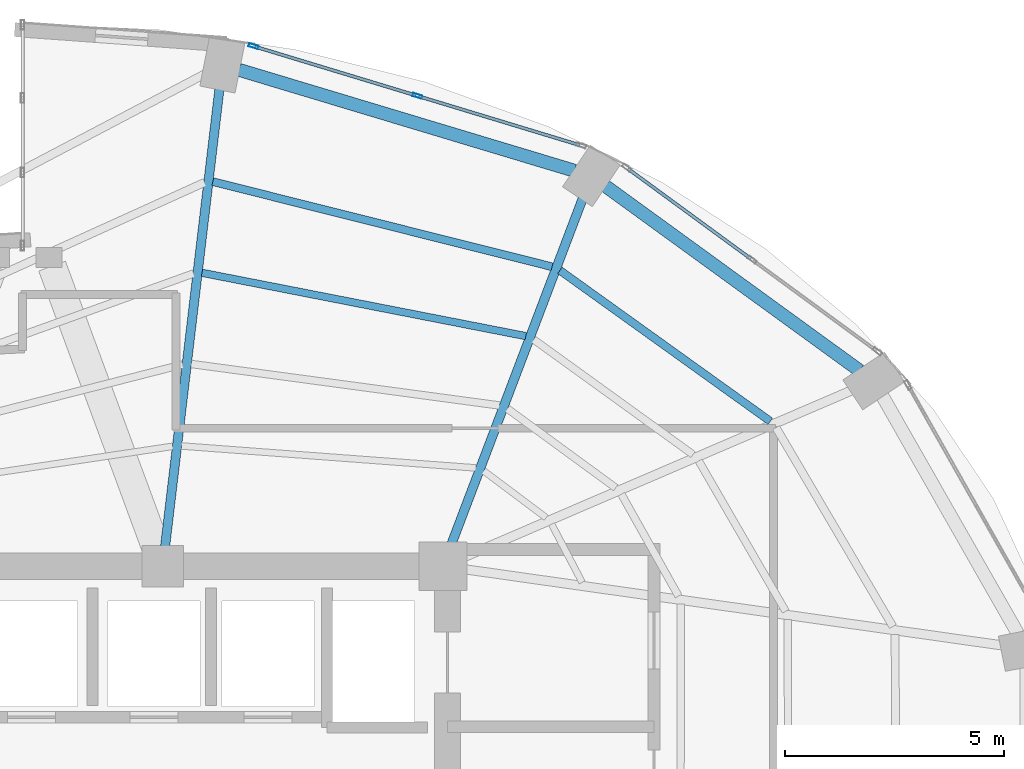
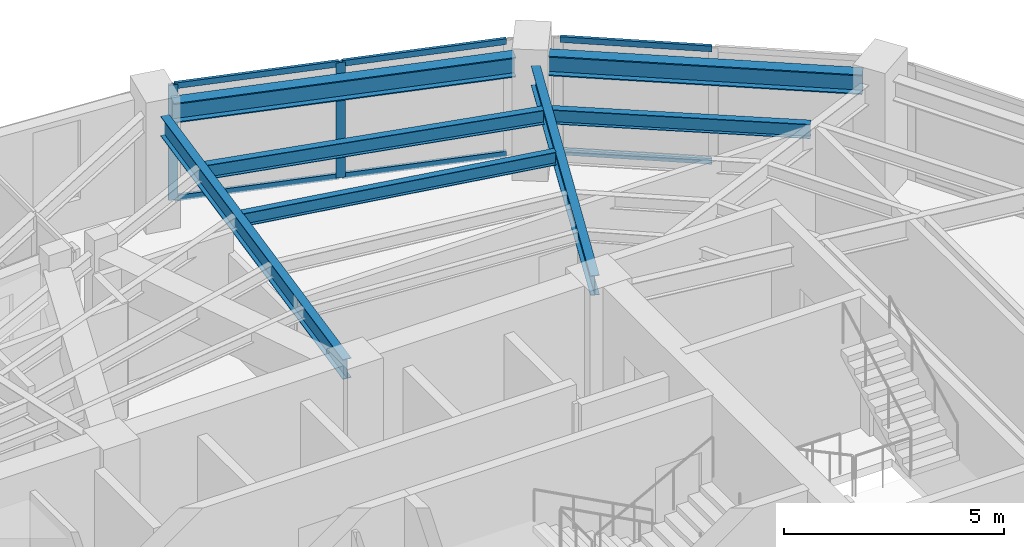
# One storey, part 13 of 20: 8 members, 7 beams, 2 elements without a shape of their own.
"""IFC4 building model written with IfcOpenShell, lengths in metres."""

from ifc_helpers import new_model, si_unit, direction, frame, origin, origin_2d, place, context, subcontext, project, spatial, hollow_rectangle, i_section, extrude, material, layer, layer_set, material_profile, profile_set, type_object, element, aggregate, save


model = new_model("IFC4")

# Units and contexts
model_context = context("Model", 3, precision=1e-05, world=origin(), true_north=direction((0.0, 1.0)))
body_context = subcontext(model_context, "Body", "Model", "MODEL_VIEW")
ifc_project = project(units=[si_unit("LENGTHUNIT", "METRE"), si_unit("AREAUNIT", "SQUARE_METRE"), si_unit("VOLUMEUNIT", "CUBIC_METRE"), si_unit("PLANEANGLEUNIT", "RADIAN"), si_unit("MASSUNIT", "GRAM", prefix="KILO")], contexts=[model_context])

# Site, building, storey
site_placement = place(None, origin())
site = spatial("IfcSite", under=ifc_project, at=site_placement, CompositionType="ELEMENT")
building_placement = place(site_placement, origin())
building = spatial("IfcBuilding", under=site, at=building_placement, Name="Lazwardi Medical Tower", CompositionType="ELEMENT")
storey_placement = place(building_placement, frame((0.0, 0.0, 185.7119140625)))
storey = spatial("IfcBuildingStorey", under=building, at=storey_placement, Name="L48", CompositionType="ELEMENT", Elevation=185.7119140625)

# Beams
ifc_material_1 = material(Name="Steel S355", Category="steel")
ifc_material_profile_1 = material_profile(ifc_material_1, i_section(OverallWidth=0.300048828125, OverallDepth=0.550048828125, WebThickness=0.014892578125, FlangeThickness=0.029052734375, at=origin_2d()), Name="HEB 550")
ifc_profile_set_1 = profile_set([ifc_material_profile_1], Name="Steel S355")
beam_type_1 = type_object("IfcBeamType", Name="BM-RB-Z3", PredefinedType="BEAM", material=ifc_profile_set_1)
beam_1_placement = place(storey_placement, frame((55.11181640625, 40.06591796875, 2.923095703125), z_axis=(-0.809127570774, 0.587633026824, 0.0), x_axis=(-0.587633026824, -0.809127570774, 0.0)))
element("IfcBeam", 1, at=beam_1_placement, inside=storey, type_object=beam_type_1, Name="Ring beam RB-04 B06 L48", PredefinedType="BEAM", context=body_context, shape_type="SweptSolid", body=[
    extrude(i_section(OverallWidth=0.300048828125, OverallDepth=0.550048828125, WebThickness=0.014892578125, FlangeThickness=0.029052734375, at=origin_2d()), origin(), (0.0, 0.0, 1.0), 7.170166015625),
])
beam_2_placement = place(storey_placement, frame((48.603515625, 44.62939453125, 2.923095703125), z_axis=(-0.957616873483, 0.288045002771, 0.0), x_axis=(-0.288045002771, -0.957616873483, 0.0)))
element("IfcBeam", 2, at=beam_2_placement, inside=storey, type_object=beam_type_1, Name="Ring beam RB-04 B07 L48", PredefinedType="BEAM", context=body_context, shape_type="SweptSolid", body=[
    extrude(i_section(OverallWidth=0.300048828125, OverallDepth=0.550048828125, WebThickness=0.014892578125, FlangeThickness=0.029052734375, at=origin_2d()), origin(), (0.0, 0.0, 1.0), 7.99951171875),
])
ifc_material_profile_2 = material_profile(ifc_material_1, i_section(OverallWidth=0.2099609375, OverallDepth=0.550048828125, WebThickness=0.010986328125, FlangeThickness=0.01708984375, at=origin_2d()), Name="IPE 550")
ifc_profile_set_2 = profile_set([ifc_material_profile_2], Name="Steel S355")
beam_type_2 = type_object("IfcBeamType", Name="BM-RG-W2", PredefinedType="BEAM", material=ifc_profile_set_2)
beam_3_placement = place(storey_placement, frame((48.78759765625, 43.99072265625, 2.923095703125), z_axis=(-0.355126771712, -0.934818151307, 0.0), x_axis=(0.934818151307, -0.355126771712, 0.0)))
element("IfcBeam", 3, at=beam_3_placement, inside=storey, type_object=beam_type_2, Name="Radial girder RG-03 R07 L48", PredefinedType="BEAM", context=body_context, shape_type="SweptSolid", body=[
    extrude(i_section(OverallWidth=0.2099609375, OverallDepth=0.550048828125, WebThickness=0.010986328125, FlangeThickness=0.01708984375, at=origin_2d()), origin(), (0.0, 0.0, 1.0), 8.44091796875),
])
beam_4_placement = place(storey_placement, frame((40.494140625, 46.49267578125, 2.923095703125), z_axis=(-0.117968004211, -0.993017396616, 0.0), x_axis=(0.993017396616, -0.117968004211, 0.0)))
element("IfcBeam", 4, at=beam_4_placement, inside=storey, type_object=beam_type_2, Name="Radial girder RG-03 R08 L48", PredefinedType="BEAM", context=body_context, shape_type="SweptSolid", body=[
    extrude(i_section(OverallWidth=0.2099609375, OverallDepth=0.550048828125, WebThickness=0.010986328125, FlangeThickness=0.01708984375, at=origin_2d()), origin(), (0.0, 0.0, 1.0), 10.50927734375),
])
ifc_material_profile_3 = material_profile(ifc_material_1, i_section(OverallWidth=0.179931640625, OverallDepth=0.39990234375, WebThickness=0.008544921875, FlangeThickness=0.013427734375, at=origin_2d()), Name="IPE 400")
ifc_profile_set_3 = profile_set([ifc_material_profile_3], Name="Steel S355")
beam_type_3 = type_object("IfcBeamType", Name="BM-SJ-01", PredefinedType="JOIST", material=ifc_profile_set_3)
beam_5_placement = place(storey_placement, frame((53.073974609375, 38.908203125, 2.998046875), z_axis=(-0.812602017757, 0.582818977675, 0.0), x_axis=(-0.582818977675, -0.812602017757, 0.0)))
element("IfcBeam", 5, at=beam_5_placement, inside=storey, type_object=beam_type_3, Name="Secondary joist SJ-01 R1 B06 L48", PredefinedType="JOIST", context=body_context, shape_type="SweptSolid", body=[
    extrude(i_section(OverallWidth=0.179931640625, OverallDepth=0.39990234375, WebThickness=0.008544921875, FlangeThickness=0.013427734375, at=origin_2d()), origin(), (0.0, 0.0, 1.0), 5.91259765625),
])
beam_6_placement = place(storey_placement, frame((48.091064453125, 42.43701171875, 2.998046875), z_axis=(-0.969933596942, 0.243369713652, 0.0), x_axis=(-0.243369713652, -0.969933596942, 0.0)))
element("IfcBeam", 6, at=beam_6_placement, inside=storey, type_object=beam_type_3, Name="Secondary joist SJ-01 R1 B07 L48", PredefinedType="JOIST", context=body_context, shape_type="SweptSolid", body=[
    extrude(i_section(OverallWidth=0.179931640625, OverallDepth=0.39990234375, WebThickness=0.008544921875, FlangeThickness=0.013427734375, at=origin_2d()), origin(), (0.0, 0.0, 1.0), 7.98828125),
])
ifc_material_profile_4 = material_profile(ifc_material_1, i_section(OverallWidth=0.169921875, OverallDepth=0.360107421875, WebThickness=0.008056640625, FlangeThickness=0.0126953125, at=origin_2d()), Name="IPE 360")
ifc_profile_set_4 = profile_set([ifc_material_profile_4], Name="Steel S355")
beam_type_4 = type_object("IfcBeamType", Name="BM-SJ-02", PredefinedType="JOIST", material=ifc_profile_set_4)
beam_7_placement = place(storey_placement, frame((47.490478515625, 40.853515625, 3.01806640625), z_axis=(-0.98141534692, 0.191895588353, 0.0), x_axis=(-0.191895588353, -0.98141534692, 0.0)))
element("IfcBeam", 7, at=beam_7_placement, inside=storey, type_object=beam_type_4, Name="Secondary joist SJ-02 R2 B07 L48", PredefinedType="JOIST", context=body_context, shape_type="SweptSolid", body=[
    extrude(i_section(OverallWidth=0.169921875, OverallDepth=0.360107421875, WebThickness=0.008056640625, FlangeThickness=0.0126953125, at=origin_2d()), origin(), (0.0, 0.0, 1.0), 7.534423828125),
])

# Curtain wall, members
ifc_material_2 = material(Name="Anodised bronze aluminium and solar control glazing", Category="aluminium")
ifc_layer = layer(ifc_material_2, 0.195068359375)
ifc_layer_set = layer_set([ifc_layer], Name="Anodised bronze aluminium and solar control glazing")
curtain_wall_type = type_object("IfcCurtainWallType", Name="CW-SYS-03", PredefinedType="NOTDEFINED", material=ifc_layer_set)
curtain_wall_1_placement = place(storey_placement, origin())
curtain_wall_1 = element("IfcCurtainWall", 8, at=curtain_wall_1_placement, inside=storey, type_object=curtain_wall_type, Name="L48 Unitised bronze curtain wall CW-03", PredefinedType="NOTDEFINED")
ifc_material_3 = material(Name="Anodised bronze aluminium", Category="aluminium")
ifc_material_profile_5 = material_profile(ifc_material_3, hollow_rectangle(XDim=0.074951171875, YDim=0.219970703125, WallThickness=0.00390625, at=origin_2d()), Name="ALU-MULLION 220x75x4")
ifc_profile_set_5 = profile_set([ifc_material_profile_5], Name="Anodised bronze aluminium")
member_type_1 = type_object("IfcMemberType", Name="CW-MUL-01", PredefinedType="MULLION", material=ifc_profile_set_5)
member_1_placement = place(storey_placement, frame((45.01513671875, 46.338623046875, 0.0), z_axis=(0.0, 0.0, 1.0), x_axis=(-0.290280785441, -0.956941516292, 0.0)))
member_1 = element("IfcMember", 9, at=member_1_placement, type_object=member_type_1, Name="CW-03 mullion 2", PredefinedType="MULLION", context=body_context, shape_type="SweptSolid", body=[
    extrude(hollow_rectangle(XDim=0.074951171875, YDim=0.219970703125, WallThickness=0.00390625, at=origin_2d()), origin(), (0.0, 0.0, 1.0), 3.197998046875),
])
member_2_placement = place(storey_placement, frame((41.27197265625, 47.47412109375, 0.0), z_axis=(0.0, 0.0, 1.0), x_axis=(-0.290280785441, -0.956941516292, 0.0)))
member_2 = element("IfcMember", 10, at=member_2_placement, type_object=member_type_1, Name="CW-03 mullion 3", PredefinedType="MULLION", context=body_context, shape_type="SweptSolid", body=[
    extrude(hollow_rectangle(XDim=0.074951171875, YDim=0.219970703125, WallThickness=0.00390625, at=origin_2d()), origin(), (0.0, 0.0, 1.0), 3.197998046875),
])

curtain_wall_2_placement = place(storey_placement, origin())
curtain_wall_2 = element("IfcCurtainWall", 11, at=curtain_wall_2_placement, inside=storey, type_object=curtain_wall_type, Name="L48 Unitised bronze curtain wall CW-03", PredefinedType="NOTDEFINED")
ifc_material_profile_6 = material_profile(ifc_material_3, hollow_rectangle(XDim=0.074951171875, YDim=0.159912109375, WallThickness=0.00390625, at=origin_2d()), Name="ALU-TRANSOM 160x75x4")
ifc_profile_set_6 = profile_set([ifc_material_profile_6], Name="Anodised bronze aluminium")
member_type_2 = type_object("IfcMemberType", Name="CW-TRN-01", PredefinedType="USERDEFINED", material=ifc_profile_set_6)
member_3_placement = place(storey_placement, frame((52.62744140625, 42.62109375, 0.03759765625), z_axis=(-0.806807161185, 0.590814864962, 0.0), x_axis=(-0.590814864962, -0.806807161185, 0.0)))
member_3 = element("IfcMember", 12, at=member_3_placement, type_object=member_type_2, Name="CW-03 transom 2.1", ObjectType="TRANSOM", PredefinedType="USERDEFINED", context=body_context, shape_type="SweptSolid", body=[
    extrude(hollow_rectangle(XDim=0.074951171875, YDim=0.159912109375, WallThickness=0.00390625, at=origin_2d()), origin(), (0.0, 0.0, 1.0), 3.472412109375),
])
member_4_placement = place(storey_placement, frame((52.62744140625, 42.62109375, 3.16064453125), z_axis=(-0.806807161185, 0.590814864962, 0.0), x_axis=(-0.590814864962, -0.806807161185, 0.0)))
member_4 = element("IfcMember", 13, at=member_4_placement, type_object=member_type_2, Name="CW-03 transom 2.2", ObjectType="TRANSOM", PredefinedType="USERDEFINED", context=body_context, shape_type="SweptSolid", body=[
    extrude(hollow_rectangle(XDim=0.074951171875, YDim=0.159912109375, WallThickness=0.00390625, at=origin_2d()), origin(), (0.0, 0.0, 1.0), 3.472412109375),
])
aggregate(curtain_wall_2, [member_3, member_4])

# Member
member_5_placement = place(storey_placement, frame((48.72216796875, 45.214111328125, 0.03759765625), z_axis=(-0.956930154175, 0.290318239233, 0.0), x_axis=(-0.290318239233, -0.956930154175, 0.0)))
member_5 = element("IfcMember", 14, at=member_5_placement, type_object=member_type_2, Name="CW-03 transom 1.1", ObjectType="TRANSOM", PredefinedType="USERDEFINED", context=body_context, shape_type="SweptSolid", body=[
    extrude(hollow_rectangle(XDim=0.074951171875, YDim=0.159912109375, WallThickness=0.00390625, at=origin_2d()), origin(), (0.0, 0.0, 1.0), 3.83642578125),
])

member_6_placement = place(storey_placement, frame((48.72216796875, 45.214111328125, 3.16064453125), z_axis=(-0.956930154175, 0.290318239233, 0.0), x_axis=(-0.290318239233, -0.956930154175, 0.0)))
member_6 = element("IfcMember", 15, at=member_6_placement, type_object=member_type_2, Name="CW-03 transom 1.2", ObjectType="TRANSOM", PredefinedType="USERDEFINED", context=body_context, shape_type="SweptSolid", body=[
    extrude(hollow_rectangle(XDim=0.074951171875, YDim=0.159912109375, WallThickness=0.00390625, at=origin_2d()), origin(), (0.0, 0.0, 1.0), 3.83642578125),
])

member_7_placement = place(storey_placement, frame((44.979248046875, 46.349609375, 0.03759765625), z_axis=(-0.95695319357, 0.290242287264, 0.0), x_axis=(-0.290242287264, -0.95695319357, 0.0)))
member_7 = element("IfcMember", 16, at=member_7_placement, type_object=member_type_2, Name="CW-03 transom 2.1", ObjectType="TRANSOM", PredefinedType="USERDEFINED", context=body_context, shape_type="SweptSolid", body=[
    extrude(hollow_rectangle(XDim=0.074951171875, YDim=0.159912109375, WallThickness=0.00390625, at=origin_2d()), origin(), (0.0, 0.0, 1.0), 3.83642578125),
])

member_8_placement = place(storey_placement, frame((44.979248046875, 46.349609375, 3.16064453125), z_axis=(-0.95695319357, 0.290242287264, 0.0), x_axis=(-0.290242287264, -0.95695319357, 0.0)))
member_8 = element("IfcMember", 17, at=member_8_placement, type_object=member_type_2, Name="CW-03 transom 2.2", ObjectType="TRANSOM", PredefinedType="USERDEFINED", context=body_context, shape_type="SweptSolid", body=[
    extrude(hollow_rectangle(XDim=0.074951171875, YDim=0.159912109375, WallThickness=0.00390625, at=origin_2d()), origin(), (0.0, 0.0, 1.0), 3.83642578125),
])

aggregate(curtain_wall_1, [member_1, member_2, member_5, member_6, member_7, member_8])

save(model, "model.ifc")
